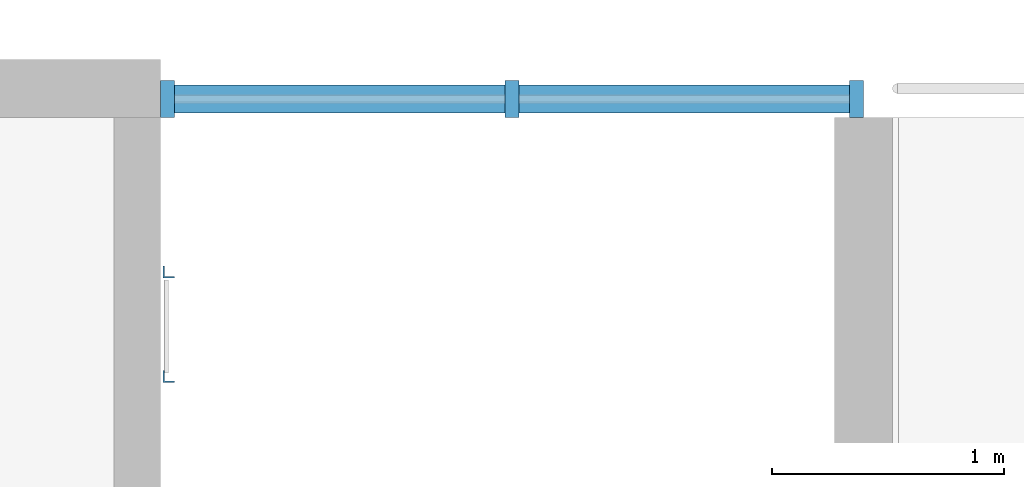
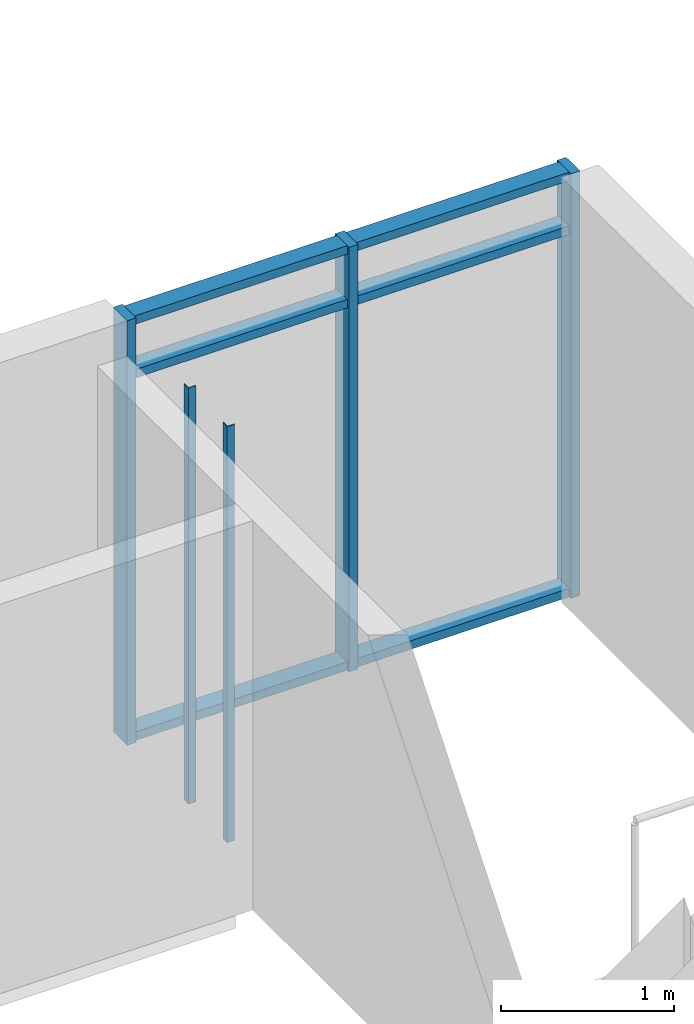
# One storey, part 13 of 94: 11 members, 1 element without a shape of its own.
"""IFC4 building model written with IfcOpenShell, lengths in metres."""

import ifcopenshell
import ifcopenshell.guid

model = None  # the IFC model being written
_history = None  # IfcOwnerHistory: only IFC2X3 demands one
_inside = {}  # id of a spatial element -> (the spatial element, [elements in it])
_under = {}  # id of a project, library or spatial element -> (it, [spatial elements below it])
_declared = {}  # id of a project -> (the project, [libraries it declares])
_typed = {}  # id of a type object -> (the type object, [elements of that type])
_made_of = {}  # id of a material, layer set ... -> (it, [elements and type objects made of it])


def new_model(schema):
    """Start an empty IFC model of exactly this schema.

    Asked for "IFC4X3", IfcOpenShell would pick the latest addendum, in which some entities
    have other attributes; the version numbers below select the first issue.
    IFC2X3 requires an IfcOwnerHistory on every rooted entity: one is made here for all.
    """
    global model, _history
    if schema == "IFC4X3":
        model = ifcopenshell.file(schema_version=(4, 3, 0, 0))
    else:
        model = ifcopenshell.file(schema=schema)
    _inside.clear()
    _under.clear()
    _declared.clear()
    _typed.clear()
    _made_of.clear()
    _history = None
    if model.schema == "IFC2X3":
        org = make("IfcOrganization", Name="unknown")
        user = make(
            "IfcPersonAndOrganization",
            ThePerson=make("IfcPerson", FamilyName="unknown"),
            TheOrganization=org,
        )
        app = make(
            "IfcApplication",
            ApplicationDeveloper=org,
            Version="unknown",
            ApplicationFullName="unknown",
            ApplicationIdentifier="unknown",
        )
        _history = make(
            "IfcOwnerHistory",
            OwningUser=user,
            OwningApplication=app,
            ChangeAction="ADDED",
            CreationDate=0,
        )
    return model


def make(cls, **values):
    """One entity of the class cls with the attributes given. An attribute that is None is left unset."""
    return model.create_entity(
        cls, **{name: value for name, value in values.items() if value is not None}
    )


def rooted(cls, **values):
    """An entity with a GlobalId (a new one), such as an element, a storey or a relation."""
    return make(cls, GlobalId=ifcopenshell.guid.new(), OwnerHistory=_history, **values)


def si_unit(unit_type, name, prefix=None):
    """IfcSIUnit, for example si_unit("LENGTHUNIT", "METRE", prefix="MILLI")."""
    return make("IfcSIUnit", UnitType=unit_type, Prefix=prefix, Name=name)


def assignment(units):
    """IfcUnitAssignment: the units of a project."""
    return None if units is None else make("IfcUnitAssignment", Units=units)


def point(xyz):
    """IfcCartesianPoint."""
    return None if xyz is None else make("IfcCartesianPoint", Coordinates=xyz)


def direction(xyz):
    """IfcDirection."""
    return None if xyz is None else make("IfcDirection", DirectionRatios=xyz)


def frame(location, z_axis=None, x_axis=None):
    """IfcAxis2Placement3D, a coordinate frame: its origin and axes. An axis left out is left unset."""
    return make(
        "IfcAxis2Placement3D",
        Location=point(location),
        Axis=direction(z_axis),
        RefDirection=direction(x_axis),
    )


def frame_2d(location, x_axis=None):
    """IfcAxis2Placement2D, a coordinate frame in the plane: its origin and x axis."""
    return make(
        "IfcAxis2Placement2D", Location=point(location), RefDirection=direction(x_axis)
    )


def origin():
    """The frame at (0, 0, 0) with its axes left unset."""
    return frame((0.0, 0.0, 0.0))


def origin_2d():
    """The frame at (0, 0) in the plane with its x axis left unset."""
    return frame_2d((0.0, 0.0))


def place(relative_to, where):
    """IfcLocalPlacement: puts the frame where relative to a parent placement (None: the world)."""
    return make(
        "IfcLocalPlacement", PlacementRelTo=relative_to, RelativePlacement=where
    )


def context(
    kind, dimensions, precision=None, world=None, true_north=None, identifier=None
):
    """IfcGeometricRepresentationContext, for example the 3D "Model" context."""
    return make(
        "IfcGeometricRepresentationContext",
        ContextIdentifier=identifier,
        ContextType=kind,
        CoordinateSpaceDimension=dimensions,
        Precision=precision,
        WorldCoordinateSystem=world,
        TrueNorth=true_north,
    )


def subcontext(parent, identifier, kind, view, scale=None):
    """IfcGeometricRepresentationSubContext, for example "Body" below "Model"."""
    return make(
        "IfcGeometricRepresentationSubContext",
        ContextIdentifier=identifier,
        ContextType=kind,
        ParentContext=parent,
        TargetScale=scale,
        TargetView=view,
    )


def project(units=None, contexts=None):
    """IfcProject with its units and contexts."""
    return rooted(
        "IfcProject",
        Name="project",
        RepresentationContexts=contexts,
        UnitsInContext=assignment(units),
    )


def spatial(cls, under=None, at=None, **own):
    """A site, building, storey or space (cls), placed at a placement, below another one or the project."""
    s = rooted(cls, ObjectPlacement=at, **own)
    if under is not None:
        _under.setdefault(under.id(), (under, []))[1].append(s)
    return s


def polyline(points):
    """IfcPolyline through the points."""
    return make("IfcPolyline", Points=[point(p) for p in points])


def profile(cls, at=None, kind="AREA", **sizes):
    """A parametric profile (cls). Its sizes go by their IFC names, for example OverallWidth=200.0."""
    return make(cls, ProfileType=kind, Position=at, **sizes)


def rectangle(**sizes):
    """IfcRectangleProfileDef."""
    return profile("IfcRectangleProfileDef", **sizes)


def outline(outer, holes=None, kind="AREA"):
    """IfcArbitraryClosedProfileDef: a profile drawn as a closed curve; with holes, ...WithVoids."""
    if holes is None:
        return make("IfcArbitraryClosedProfileDef", ProfileType=kind, OuterCurve=outer)
    return make(
        "IfcArbitraryProfileDefWithVoids",
        ProfileType=kind,
        OuterCurve=outer,
        InnerCurves=holes,
    )


def extrude(swept, where, along, depth):
    """IfcExtrudedAreaSolid: the profile swept, set in the frame where, extruded along a direction by depth."""
    return make(
        "IfcExtrudedAreaSolid",
        SweptArea=swept,
        Position=where,
        ExtrudedDirection=direction(along),
        Depth=depth,
    )


def shape(context_of_items, identifier, shape_type, items):
    """IfcShapeRepresentation: the items that make up one representation, for example the "Body"."""
    return make(
        "IfcShapeRepresentation",
        ContextOfItems=context_of_items,
        RepresentationIdentifier=identifier,
        RepresentationType=shape_type,
        Items=items,
    )


def material(Name=None, Category=None):
    """IfcMaterial."""
    return make("IfcMaterial", Name=Name, Category=Category)


def material_profile(
    of_material, cross_section, Name=None, Category=None, Priority=None
):
    """IfcMaterialProfile: a cross section and its material."""
    return make(
        "IfcMaterialProfile",
        Name=Name,
        Material=of_material,
        Profile=cross_section,
        Priority=Priority,
        Category=Category,
    )


def profile_set(profiles, Name=None, composite=None):
    """IfcMaterialProfileSet."""
    return make(
        "IfcMaterialProfileSet",
        Name=Name,
        MaterialProfiles=profiles,
        CompositeProfile=composite,
    )


def made_of(thing, what):
    """Note that an element or type object is made of a material, layer set ...; save() writes the relation."""
    if what is not None:
        _made_of.setdefault(what.id(), (what, []))[1].append(thing)
    return thing


def type_object(cls, material=None, **own):
    """A type object (cls), such as IfcWallType, which elements share."""
    return made_of(rooted(cls, **own), material)


def element(
    cls,
    number,
    at=None,
    inside=None,
    cuts=None,
    type_object=None,
    material=None,
    context=None,
    identifier="Body",
    shape_type=None,
    held_by="IfcProductDefinitionShape",
    body=None,
    shapes=None,
    **own,
):
    """One element of the class cls, such as IfcWall. Its Tag is "e" and its number.

    at: its placement. inside: the storey or other place that contains it. cuts: it is an
    opening in that element (IfcRelVoidsElement). A single representation is given by context,
    identifier, shape_type and body (its items); several are given by shapes. held_by: the class
    of the entity that holds the representations. save() writes the other relations.
    """
    e = rooted(cls, Tag="e%d" % number, ObjectPlacement=at, **own)
    if body is not None:
        shapes = [shape(context, identifier, shape_type, body)]
    if shapes is not None:
        e.Representation = make(held_by, Representations=shapes)
    if inside is not None:
        _inside.setdefault(inside.id(), (inside, []))[1].append(e)
    if cuts is not None:
        rooted(
            "IfcRelVoidsElement", RelatingBuildingElement=cuts, RelatedOpeningElement=e
        )
    if type_object is not None:
        _typed.setdefault(type_object.id(), (type_object, []))[1].append(e)
    return made_of(e, material)


def aggregate(whole, parts):
    """IfcRelAggregates: a whole, such as a stair, and the parts it consists of."""
    return rooted("IfcRelAggregates", RelatingObject=whole, RelatedObjects=parts)


def save(model, path):
    """Write the relations noted so far, then the file.

    IfcRelAggregates (storeys below a building ...), IfcRelContainedInSpatialStructure (elements
    in a storey), IfcRelDefinesByType, IfcRelAssociatesMaterial and IfcRelDeclares: one each for
    every whole, place, type object, material and project.
    """
    for whole, parts in _under.values():
        aggregate(whole, parts)
    for where, things in _inside.values():
        rooted(
            "IfcRelContainedInSpatialStructure",
            RelatedElements=things,
            RelatingStructure=where,
        )
    for kind, things in _typed.values():
        rooted("IfcRelDefinesByType", RelatedObjects=things, RelatingType=kind)
    for what, things in _made_of.values():
        rooted("IfcRelAssociatesMaterial", RelatedObjects=things, RelatingMaterial=what)
    for by, libraries in _declared.values():
        rooted("IfcRelDeclares", RelatingContext=by, RelatedDefinitions=libraries)
    model.write(path)


model = new_model("IFC4")

# Units and contexts
model_context = context("Model", 3, precision=1e-05, world=origin(), true_north=direction((0.0, 1.0)))
body_context = subcontext(model_context, "Body", "Model", "MODEL_VIEW")
ifc_project = project(units=[si_unit("LENGTHUNIT", "METRE"), si_unit("AREAUNIT", "SQUARE_METRE"), si_unit("VOLUMEUNIT", "CUBIC_METRE"), si_unit("PLANEANGLEUNIT", "RADIAN"), si_unit("MASSUNIT", "GRAM", prefix="KILO")], contexts=[model_context])

# Site, building, storey
site_placement = place(None, origin())
site = spatial("IfcSite", under=ifc_project, at=site_placement, CompositionType="ELEMENT")
building_placement = place(site_placement, origin())
building = spatial("IfcBuilding", under=site, at=building_placement, Name="Ridgestep Commons", CompositionType="ELEMENT")
storey_placement = place(building_placement, frame((0.0, 0.0, 24.0)))
storey = spatial("IfcBuildingStorey", under=building, at=storey_placement, Name="L08", CompositionType="ELEMENT", Elevation=24.0)

# Members
ifc_material_1 = material(Name="Structural steel S355JR", Category="steel")
ifc_material_profile_1 = material_profile(ifc_material_1, outline(polyline([(-0.014404296875, -0.014404296875), (0.03564453125, -0.014404296875), (0.03564453125, -0.00927734375), (-0.00927734375, -0.00927734375), (-0.00927734375, 0.03564453125), (-0.014404296875, 0.03564453125), (-0.014404296875, -0.014404296875)])), Name="EA 50x50x5")
ifc_profile_set_1 = profile_set([ifc_material_profile_1], Name="Structural steel S355JR")
member_type_1 = type_object("IfcMemberType", Name="Core ladder stile EA 50x50x5", PredefinedType="STRINGER", material=ifc_profile_set_1)
for number, where, z_axis, x_axis, name in (
    (1, (48.60009765625, 75.875, 0.0), (0.0, 0.0, 1.0), (1.0, 0.0, 0.0), "Ladder stile B3C.1"),
    (2, (48.60009765625, 76.324951171875, 0.0), (0.0, 0.0, 1.0), (1.0, 0.0, 0.0), "Ladder stile B3C.2"),
):
    element("IfcMember", number, at=place(storey_placement, frame(where, z_axis=z_axis, x_axis=x_axis)), inside=storey, type_object=member_type_1, Name=name, PredefinedType="STRINGER", context=body_context, shape_type="SweptSolid", body=[
        extrude(outline(polyline([(-0.014404296875, -0.014404296875), (0.03564453125, -0.014404296875), (0.03564453125, -0.00927734375), (-0.00927734375, -0.00927734375), (-0.00927734375, 0.03564453125), (-0.014404296875, 0.03564453125), (-0.014404296875, -0.014404296875)])), origin(), (0.0, 0.0, 1.0), 2.93994140625),
    ])

# Curtain wall, members
ifc_material_2 = material(Name="Aluminium 6063-T6 and glass", Category="aluminium")
curtain_wall_type = type_object("IfcCurtainWallType", Name="Curtain wall stair strip", PredefinedType="NOTDEFINED", material=ifc_material_2)
curtain_wall_placement = place(storey_placement, origin())
curtain_wall = element("IfcCurtainWall", 3, at=curtain_wall_placement, inside=storey, type_object=curtain_wall_type, Name="Curtain wall B3C level 08", PredefinedType="NOTDEFINED")
ifc_material_3 = material(Name="Aluminium 6063-T6", Category="aluminium")
ifc_material_profile_2 = material_profile(ifc_material_3, rectangle(XDim=0.159912109375, YDim=0.06005859375, at=origin_2d()), Name="Mullion 60 x 160")
ifc_profile_set_2 = profile_set([ifc_material_profile_2], Name="Aluminium 6063-T6")
member_type_2 = type_object("IfcMemberType", Name="Mullion 60 x 160", PredefinedType="MULLION", material=ifc_profile_set_2)
member_1_placement = place(storey_placement, frame((48.60498046875, 77.080078125, 0.0), z_axis=(0.0, 0.0, 1.0), x_axis=(0.0, 1.0, 0.0)))
member_1 = element("IfcMember", 4, at=member_1_placement, type_object=member_type_2, Name="CW1 mullion 1", PredefinedType="MULLION", context=body_context, shape_type="SweptSolid", body=[
    extrude(rectangle(XDim=0.159912109375, YDim=0.06005859375, at=origin_2d()), origin(), (0.0, 0.0, 1.0), 3.0),
])
member_2_placement = place(storey_placement, frame((50.08740234375, 77.080078125, 0.0), z_axis=(0.0, 0.0, 1.0), x_axis=(0.0, 1.0, 0.0)))
member_2 = element("IfcMember", 5, at=member_2_placement, type_object=member_type_2, Name="CW1 mullion 2", PredefinedType="MULLION", context=body_context, shape_type="SweptSolid", body=[
    extrude(rectangle(XDim=0.159912109375, YDim=0.06005859375, at=origin_2d()), origin(), (0.0, 0.0, 1.0), 3.0),
])
member_3_placement = place(storey_placement, frame((51.570068359375, 77.080078125, 0.0), z_axis=(0.0, 0.0, 1.0), x_axis=(0.0, 1.0, 0.0)))
member_3 = element("IfcMember", 6, at=member_3_placement, type_object=member_type_2, Name="CW1 mullion 3", PredefinedType="MULLION", context=body_context, shape_type="SweptSolid", body=[
    extrude(rectangle(XDim=0.159912109375, YDim=0.06005859375, at=origin_2d()), origin(), (0.0, 0.0, 1.0), 3.0),
])
ifc_material_4 = material(Name="Aluminium 6063-T6", Category="aluminium")
ifc_material_profile_3 = material_profile(ifc_material_4, rectangle(XDim=0.1201171875, YDim=0.06005859375, at=origin_2d()), Name="Transom 60 x 120")
ifc_profile_set_3 = profile_set([ifc_material_profile_3], Name="Aluminium 6063-T6")
member_type_3 = type_object("IfcMemberType", Name="Transom 60 x 120", PredefinedType="USERDEFINED", material=ifc_profile_set_3)
member_4_placement = place(storey_placement, frame((48.635009765625, 77.080078125, 0.030029296875), z_axis=(1.0, 0.0, 0.0), x_axis=(0.0, 1.0, 0.0)))
member_4 = element("IfcMember", 7, at=member_4_placement, type_object=member_type_3, Name="CW1 transom 1.1", ObjectType="TRANSOM", PredefinedType="USERDEFINED", context=body_context, shape_type="SweptSolid", body=[
    extrude(rectangle(XDim=0.1201171875, YDim=0.06005859375, at=origin_2d()), origin(), (0.0, 0.0, 1.0), 1.422607421875),
])
member_5_placement = place(storey_placement, frame((48.635009765625, 77.080078125, 2.590087890625), z_axis=(1.0, 0.0, 0.0), x_axis=(0.0, 1.0, 0.0)))
member_5 = element("IfcMember", 8, at=member_5_placement, type_object=member_type_3, Name="CW1 transom 1.2", ObjectType="TRANSOM", PredefinedType="USERDEFINED", context=body_context, shape_type="SweptSolid", body=[
    extrude(rectangle(XDim=0.1201171875, YDim=0.06005859375, at=origin_2d()), origin(), (0.0, 0.0, 1.0), 1.422607421875),
])
member_6_placement = place(storey_placement, frame((48.635009765625, 77.080078125, 2.969970703125), z_axis=(1.0, 0.0, 0.0), x_axis=(0.0, 1.0, 0.0)))
member_6 = element("IfcMember", 9, at=member_6_placement, type_object=member_type_3, Name="CW1 transom 1.3", ObjectType="TRANSOM", PredefinedType="USERDEFINED", context=body_context, shape_type="SweptSolid", body=[
    extrude(rectangle(XDim=0.1201171875, YDim=0.06005859375, at=origin_2d()), origin(), (0.0, 0.0, 1.0), 1.422607421875),
])
member_7_placement = place(storey_placement, frame((50.117431640625, 77.080078125, 0.030029296875), z_axis=(1.0, 0.0, 0.0), x_axis=(0.0, 1.0, 0.0)))
member_7 = element("IfcMember", 10, at=member_7_placement, type_object=member_type_3, Name="CW1 transom 2.1", ObjectType="TRANSOM", PredefinedType="USERDEFINED", context=body_context, shape_type="SweptSolid", body=[
    extrude(rectangle(XDim=0.1201171875, YDim=0.06005859375, at=origin_2d()), origin(), (0.0, 0.0, 1.0), 1.422607421875),
])
member_8_placement = place(storey_placement, frame((50.117431640625, 77.080078125, 2.590087890625), z_axis=(1.0, 0.0, 0.0), x_axis=(0.0, 1.0, 0.0)))
member_8 = element("IfcMember", 11, at=member_8_placement, type_object=member_type_3, Name="CW1 transom 2.2", ObjectType="TRANSOM", PredefinedType="USERDEFINED", context=body_context, shape_type="SweptSolid", body=[
    extrude(rectangle(XDim=0.1201171875, YDim=0.06005859375, at=origin_2d()), origin(), (0.0, 0.0, 1.0), 1.422607421875),
])
member_9_placement = place(storey_placement, frame((50.117431640625, 77.080078125, 2.969970703125), z_axis=(1.0, 0.0, 0.0), x_axis=(0.0, 1.0, 0.0)))
member_9 = element("IfcMember", 12, at=member_9_placement, type_object=member_type_3, Name="CW1 transom 2.3", ObjectType="TRANSOM", PredefinedType="USERDEFINED", context=body_context, shape_type="SweptSolid", body=[
    extrude(rectangle(XDim=0.1201171875, YDim=0.06005859375, at=origin_2d()), origin(), (0.0, 0.0, 1.0), 1.422607421875),
])
aggregate(curtain_wall, [member_1, member_2, member_3, member_4, member_5, member_6, member_7, member_8, member_9])

save(model, "model.ifc")
